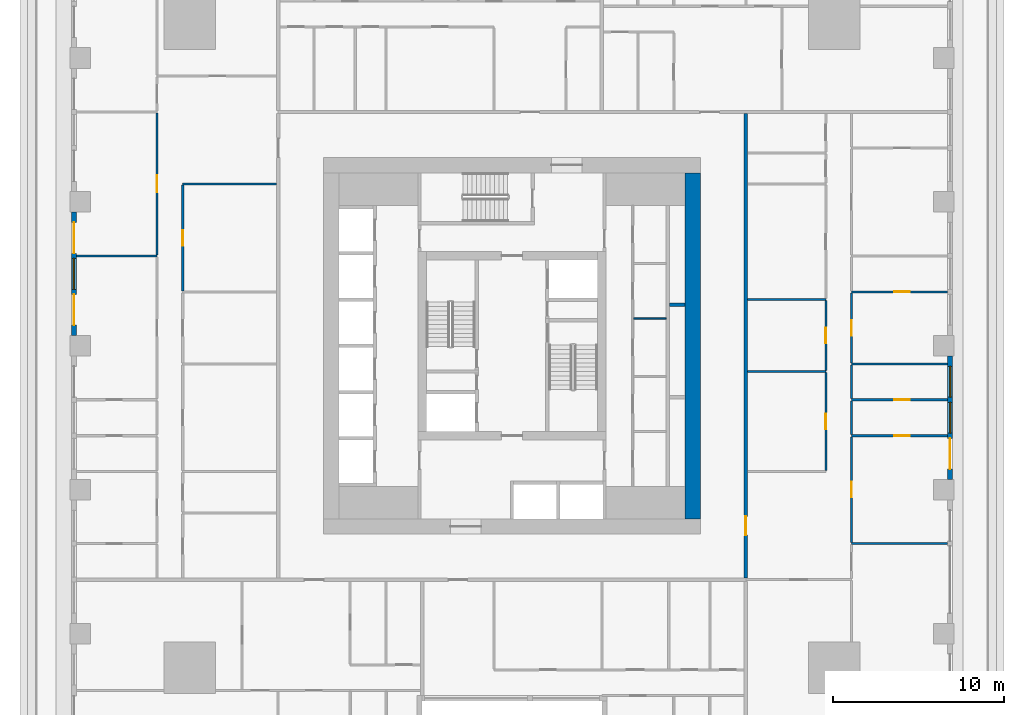
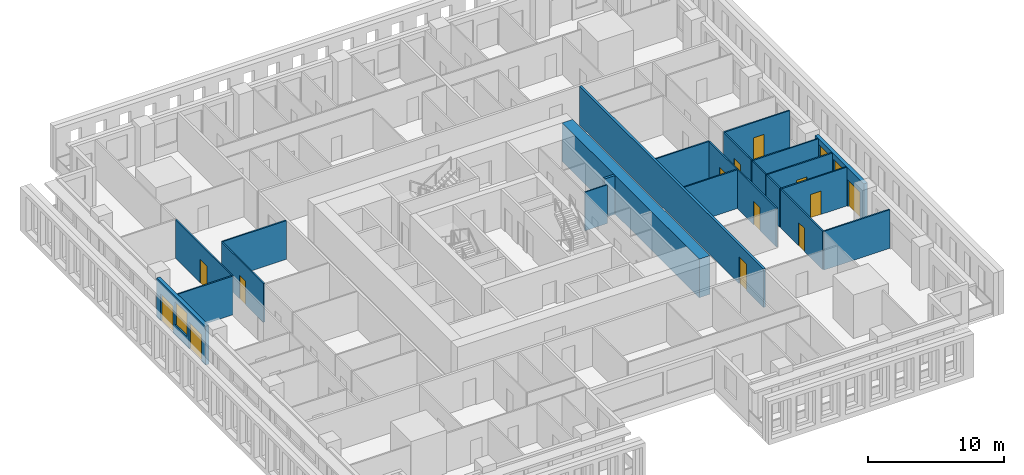
# One storey, part 6 of 15: 23 walls, 13 doors, 3 windows, 16 openings.
"""IFC4 building model written with IfcOpenShell, lengths in metres."""

from ifc_helpers import new_model, si_unit, direction, frame, frame_2d, origin, place, context, subcontext, project, spatial, rectangle, extrude, material, layer, layer_set, type_object, element, fill, save


model = new_model("IFC4")

# Units and contexts
model_context = context("Model", 3, precision=1e-05, world=origin(), true_north=direction((0.0, 1.0)))
body_context = subcontext(model_context, "Body", "Model", "MODEL_VIEW")
ifc_project = project(units=[si_unit("LENGTHUNIT", "METRE"), si_unit("AREAUNIT", "SQUARE_METRE"), si_unit("VOLUMEUNIT", "CUBIC_METRE"), si_unit("PLANEANGLEUNIT", "RADIAN"), si_unit("MASSUNIT", "GRAM", prefix="KILO")], contexts=[model_context])

# Site, building, storey
site_placement = place(None, origin())
site = spatial("IfcSite", under=ifc_project, at=site_placement, CompositionType="ELEMENT")
building_placement = place(site_placement, origin())
building = spatial("IfcBuilding", under=site, at=building_placement, Name="Khepri Terraces", CompositionType="ELEMENT")
storey_placement = place(building_placement, frame((0.0, 0.0, 38.699951171875)))
storey = spatial("IfcBuildingStorey", under=building, at=storey_placement, Name="L08", CompositionType="ELEMENT", Elevation=38.699951171875)

# Walls
ifc_material_1 = material(Name="Concrete C80/95", Category="concrete")
ifc_layer_1 = layer(ifc_material_1, 0.199951171875, Name="Concrete C80/95", Category="concrete")
ifc_layer_set_1 = layer_set([ifc_layer_1], Name="Concrete C80/95")
wall_type_1 = type_object("IfcWallType", Name="Core wall 200 C80/95", PredefinedType="SHEAR", material=ifc_layer_set_1)
wall_1_placement = place(storey_placement, frame((9.199951171875, 2.39990234375, 0.0), z_axis=(0.0, 0.0, 1.0), x_axis=(1.0, 0.0, 0.0)))
element("IfcWall", 1, at=wall_1_placement, inside=storey, type_object=wall_type_1, Name="Core wall SH16 L08", PredefinedType="SHEAR", context=body_context, shape_type="SweptSolid", body=[
    extrude(rectangle(XDim=0.900146484375, YDim=0.199951171875, at=frame_2d((0.4501953125, 0.0))), origin(), (0.0, 0.0, 1.0), 3.47998046875),
])
ifc_layer_2 = layer(ifc_material_1, 0.89990234375, Name="Concrete C80/95", Category="concrete")
ifc_layer_set_2 = layer_set([ifc_layer_2], Name="Concrete C80/95")
wall_type_2 = type_object("IfcWallType", Name="Core wall 900 C80/95", PredefinedType="SHEAR", material=ifc_layer_set_2)
wall_2_placement = place(storey_placement, frame((10.550048828125, -10.10009765625, 0.0), z_axis=(0.0, 0.0, 1.0), x_axis=(0.0, 1.0, 0.0)))
element("IfcWall", 2, at=wall_2_placement, inside=storey, type_object=wall_type_2, Name="Core wall OW-E L08", PredefinedType="SHEAR", context=body_context, shape_type="SweptSolid", body=[
    extrude(rectangle(XDim=20.2001953125, YDim=0.89990234375, at=frame_2d((10.10009765625, 0.0))), origin(), (0.0, 0.0, 1.0), 3.47998046875),
])
ifc_material_2 = material(Name="Fire-rated gypsum board partition")
ifc_layer_3 = layer(ifc_material_2, 0.10009765625, Name="Fire-rated gypsum board partition")
ifc_layer_set_3 = layer_set([ifc_layer_3], Name="Fire-rated gypsum board partition")
wall_type_3 = type_object("IfcWallType", Name="WL-CORE-PART-100", PredefinedType="PARTITIONING", material=ifc_layer_set_3)
wall_3_placement = place(storey_placement, frame((7.10009765625, 1.60009765625, 0.0), z_axis=(0.0, 0.0, 1.0), x_axis=(1.0, 0.0, 0.0)))
element("IfcWall", 3, at=wall_3_placement, inside=storey, type_object=wall_type_3, Name="Core partition PT06 L08", PredefinedType="PARTITIONING", context=body_context, shape_type="SweptSolid", body=[
    extrude(rectangle(XDim=1.89990234375, YDim=0.10009765625, at=frame_2d((0.949951171875, 0.0))), origin(), (0.0, 0.0, 1.0), 3.47998046875),
])

# Wall, opening, door
ifc_material_3 = material(Name="Fire-rated gypsum plasterboard partition, mineral wool")
ifc_layer_4 = layer(ifc_material_3, 0.199951171875, Name="Fire-rated gypsum plasterboard partition, mineral wool")
ifc_layer_set_4 = layer_set([ifc_layer_4], Name="Fire-rated gypsum plasterboard partition, mineral wool")
wall_type_4 = type_object("IfcWallType", Name="WL-CORR-200", PredefinedType="PARTITIONING", material=ifc_layer_set_4)
wall_4_placement = place(storey_placement, frame((13.64990234375, -13.550048828125, 0.0), z_axis=(0.0, 0.0, 1.0), x_axis=(0.0, 1.0, 0.0)))
wall_4 = element("IfcWall", 4, at=wall_4_placement, inside=storey, type_object=wall_type_4, Name="Partition P-029 L08", PredefinedType="PARTITIONING", context=body_context, shape_type="SweptSolid", body=[
    extrude(rectangle(XDim=27.10009765625, YDim=0.199951171875, at=frame_2d((13.550048828125, 0.0))), origin(), (0.0, 0.0, 1.0), 3.47998046875),
])
opening_1_placement = place(wall_4_placement, frame((2.5, 0.0, 0.0)))
opening_1 = element("IfcOpeningElement", 5, at=opening_1_placement, cuts=wall_4, Name="Opening D1", PredefinedType="OPENING", context=body_context, shape_type="SweptSolid", body=[
    extrude(rectangle(XDim=1.10009765625, YDim=2.39990234375, at=frame_2d((0.550048828125, 1.199951171875))), frame((0.0, 0.10986328125, 0.0), z_axis=(0.0, -1.0, 0.0), x_axis=(1.0, 0.0, 0.0)), (0.0, 0.0, 1.0), 0.219970703125),
])
ifc_material_4 = material(Name="Solid-core timber door leaf, flat entrance door", Category="wood")
door_type_1 = type_object("IfcDoorType", Name="DR-ENT-1100", OperationType="NOTDEFINED", PredefinedType="DOOR", material=ifc_material_4)
door_1_placement = place(opening_1_placement, frame((1.10009765625, 0.0, 0.0), z_axis=(0.0, 0.0, 1.0), x_axis=(-1.0, 0.0, 0.0)))
door_1 = element("IfcDoor", 6, at=door_1_placement, inside=storey, type_object=door_type_1, Name="Flat B1 entrance door", OperationType="SINGLE_SWING_RIGHT", OverallHeight=2.39990234375, OverallWidth=1.10009765625, PredefinedType="DOOR", context=body_context, shape_type="SweptSolid", body=[
    extrude(rectangle(XDim=1.10009765625, YDim=2.39990234375, at=frame_2d((0.550048828125, 1.199951171875))), frame((0.0, 0.02490234375, 0.0), z_axis=(0.0, -1.0, 0.0), x_axis=(1.0, 0.0, 0.0)), (0.0, 0.0, 1.0), 0.050048828125),
])
fill(opening_1, door_1)

# Wall, openings, door, windows
ifc_material_5 = material(Name="Precast concrete C50/60 warm stone", Category="masonry")
ifc_layer_5 = layer(ifc_material_5, 0.300048828125, Name="Precast concrete C50/60 warm stone", Category="masonry")
ifc_layer_set_5 = layer_set([ifc_layer_5], Name="Precast concrete C50/60 warm stone")
wall_type_5 = type_object("IfcWallType", Name="WL-EXT-PRECAST-300", PredefinedType="STANDARD", material=ifc_layer_set_5)
wall_5_placement = place(storey_placement, frame((25.570068359375, -7.800048828125, 0.0), z_axis=(0.0, 0.0, 1.0), x_axis=(0.0, 1.0, 0.0)))
wall_5 = element("IfcWall", 7, at=wall_5_placement, inside=storey, type_object=wall_type_5, Name="External wall L08 E", PredefinedType="STANDARD", context=body_context, shape_type="SweptSolid", body=[
    extrude(rectangle(XDim=7.199951171875, YDim=0.300048828125, at=frame_2d((3.60009765625, 0.0))), origin(), (0.0, 0.0, 1.0), 3.47998046875),
])
opening_2_placement = place(wall_5_placement, frame((0.60009765625, 0.0, 0.0)))
opening_2 = element("IfcOpeningElement", 8, at=opening_2_placement, cuts=wall_5, Name="Opening ED-L08-04", PredefinedType="OPENING", context=body_context, shape_type="SweptSolid", body=[
    extrude(rectangle(XDim=1.800048828125, YDim=2.39990234375, at=frame_2d((0.89990234375, 1.199951171875))), frame((0.0, 0.16015625, 0.0), z_axis=(0.0, -1.0, 0.0), x_axis=(1.0, 0.0, 0.0)), (0.0, 0.0, 1.0), 0.320068359375),
])
opening_3_placement = place(wall_5_placement, frame((2.699951171875, 0.0, 0.89990234375)))
opening_3 = element("IfcOpeningElement", 9, at=opening_3_placement, cuts=wall_5, Name="Opening W1", PredefinedType="OPENING", context=body_context, shape_type="SweptSolid", body=[
    extrude(rectangle(XDim=1.800048828125, YDim=2.10009765625, at=frame_2d((0.89990234375, 1.050048828125))), frame((0.0, 0.16015625, 0.0), z_axis=(0.0, -1.0, 0.0), x_axis=(1.0, 0.0, 0.0)), (0.0, 0.0, 1.0), 0.320068359375),
])
opening_4_placement = place(wall_5_placement, frame((4.800048828125, 0.0, 0.89990234375)))
opening_4 = element("IfcOpeningElement", 10, at=opening_4_placement, cuts=wall_5, Name="Opening W1", PredefinedType="OPENING", context=body_context, shape_type="SweptSolid", body=[
    extrude(rectangle(XDim=1.800048828125, YDim=2.10009765625, at=frame_2d((0.89990234375, 1.050048828125))), frame((0.0, 0.16015625, 0.0), z_axis=(0.0, -1.0, 0.0), x_axis=(1.0, 0.0, 0.0)), (0.0, 0.0, 1.0), 0.320068359375),
])
ifc_material_6 = material(Name="Anodised aluminium bronze glazed door", Category="aluminium")
door_type_2 = type_object("IfcDoorType", Name="DR-BAL-SLIDE-1800x2400", OperationType="NOTDEFINED", PredefinedType="DOOR", material=ifc_material_6)
door_2_placement = place(opening_2_placement, origin())
door_2 = element("IfcDoor", 11, at=door_2_placement, inside=storey, type_object=door_type_2, Name="Balcony door L08 E", OperationType="SLIDING_TO_LEFT", OverallHeight=2.39990234375, OverallWidth=1.800048828125, PredefinedType="DOOR", context=body_context, shape_type="SweptSolid", body=[
    extrude(rectangle(XDim=1.800048828125, YDim=2.39990234375, at=frame_2d((0.89990234375, 1.199951171875))), frame((0.0, 0.02490234375, 0.0), z_axis=(0.0, -1.0, 0.0), x_axis=(1.0, 0.0, 0.0)), (0.0, 0.0, 1.0), 0.050048828125),
])
fill(opening_2, door_2)
ifc_material_7 = material(Name="Clear glass", Category="glass")
window_type = type_object("IfcWindowType", Name="WIN-RES-1800x2100", PartitioningType="SINGLE_PANEL", PredefinedType="WINDOW", material=ifc_material_7)
window_1_placement = place(opening_3_placement, origin())
window_1 = element("IfcWindow", 12, at=window_1_placement, inside=storey, type_object=window_type, Name="Window L08 E", OverallHeight=2.10009765625, OverallWidth=1.800048828125, PartitioningType="SINGLE_PANEL", PredefinedType="WINDOW", context=body_context, shape_type="SweptSolid", body=[
    extrude(rectangle(XDim=1.800048828125, YDim=2.10009765625, at=frame_2d((0.89990234375, 1.050048828125))), frame((0.0, 0.030029296875, 0.0), z_axis=(0.0, -1.0, 0.0), x_axis=(1.0, 0.0, 0.0)), (0.0, 0.0, 1.0), 0.06005859375),
])
fill(opening_3, window_1)
window_2_placement = place(opening_4_placement, origin())
window_2 = element("IfcWindow", 13, at=window_2_placement, inside=storey, type_object=window_type, Name="Window L08 E", OverallHeight=2.10009765625, OverallWidth=1.800048828125, PartitioningType="SINGLE_PANEL", PredefinedType="WINDOW", context=body_context, shape_type="SweptSolid", body=[
    extrude(rectangle(XDim=1.800048828125, YDim=2.10009765625, at=frame_2d((0.89990234375, 1.050048828125))), frame((0.0, 0.030029296875, 0.0), z_axis=(0.0, -1.0, 0.0), x_axis=(1.0, 0.0, 0.0)), (0.0, 0.0, 1.0), 0.06005859375),
])
fill(opening_4, window_2)

# Wall, openings, doors, window
wall_6_placement = place(storey_placement, frame((-25.570068359375, 7.800048828125, 0.0), z_axis=(0.0, 0.0, 1.0), x_axis=(0.0, -1.0, 0.0)))
wall_6 = element("IfcWall", 14, at=wall_6_placement, inside=storey, type_object=wall_type_5, Name="External wall L08 W", PredefinedType="STANDARD", context=body_context, shape_type="SweptSolid", body=[
    extrude(rectangle(XDim=7.199951171875, YDim=0.300048828125, at=frame_2d((3.60009765625, 0.0))), origin(), (0.0, 0.0, 1.0), 3.47998046875),
])
opening_5_placement = place(wall_6_placement, frame((0.60009765625, 0.0, 0.0)))
opening_5 = element("IfcOpeningElement", 15, at=opening_5_placement, cuts=wall_6, Name="Opening ED-L08-15", PredefinedType="OPENING", context=body_context, shape_type="SweptSolid", body=[
    extrude(rectangle(XDim=1.800048828125, YDim=2.39990234375, at=frame_2d((0.89990234375, 1.199951171875))), frame((0.0, 0.16015625, 0.0), z_axis=(0.0, -1.0, 0.0), x_axis=(1.0, 0.0, 0.0)), (0.0, 0.0, 1.0), 0.320068359375),
])
opening_6_placement = place(wall_6_placement, frame((2.699951171875, 0.0, 0.89990234375)))
opening_6 = element("IfcOpeningElement", 16, at=opening_6_placement, cuts=wall_6, Name="Opening W1", PredefinedType="OPENING", context=body_context, shape_type="SweptSolid", body=[
    extrude(rectangle(XDim=1.800048828125, YDim=2.10009765625, at=frame_2d((0.89990234375, 1.050048828125))), frame((0.0, 0.16015625, 0.0), z_axis=(0.0, -1.0, 0.0), x_axis=(1.0, 0.0, 0.0)), (0.0, 0.0, 1.0), 0.320068359375),
])
opening_7_placement = place(wall_6_placement, frame((4.800048828125, 0.0, 0.0)))
opening_7 = element("IfcOpeningElement", 17, at=opening_7_placement, cuts=wall_6, Name="Opening ED-L08-16", PredefinedType="OPENING", context=body_context, shape_type="SweptSolid", body=[
    extrude(rectangle(XDim=1.800048828125, YDim=2.39990234375, at=frame_2d((0.89990234375, 1.199951171875))), frame((0.0, 0.16015625, 0.0), z_axis=(0.0, -1.0, 0.0), x_axis=(1.0, 0.0, 0.0)), (0.0, 0.0, 1.0), 0.320068359375),
])
door_3_placement = place(opening_5_placement, origin())
door_3 = element("IfcDoor", 18, at=door_3_placement, inside=storey, type_object=door_type_2, Name="Balcony door L08 W", OperationType="SLIDING_TO_LEFT", OverallHeight=2.39990234375, OverallWidth=1.800048828125, PredefinedType="DOOR", context=body_context, shape_type="SweptSolid", body=[
    extrude(rectangle(XDim=1.800048828125, YDim=2.39990234375, at=frame_2d((0.89990234375, 1.199951171875))), frame((0.0, 0.02490234375, 0.0), z_axis=(0.0, -1.0, 0.0), x_axis=(1.0, 0.0, 0.0)), (0.0, 0.0, 1.0), 0.050048828125),
])
fill(opening_5, door_3)
door_4_placement = place(opening_7_placement, origin())
door_4 = element("IfcDoor", 19, at=door_4_placement, inside=storey, type_object=door_type_2, Name="Balcony door L08 W", OperationType="SLIDING_TO_RIGHT", OverallHeight=2.39990234375, OverallWidth=1.800048828125, PredefinedType="DOOR", context=body_context, shape_type="SweptSolid", body=[
    extrude(rectangle(XDim=1.800048828125, YDim=2.39990234375, at=frame_2d((0.89990234375, 1.199951171875))), frame((0.0, 0.02490234375, 0.0), z_axis=(0.0, -1.0, 0.0), x_axis=(1.0, 0.0, 0.0)), (0.0, 0.0, 1.0), 0.050048828125),
])
fill(opening_7, door_4)
window_3_placement = place(opening_6_placement, origin())
window_3 = element("IfcWindow", 20, at=window_3_placement, inside=storey, type_object=window_type, Name="Window L08 W", OverallHeight=2.10009765625, OverallWidth=1.800048828125, PartitioningType="SINGLE_PANEL", PredefinedType="WINDOW", context=body_context, shape_type="SweptSolid", body=[
    extrude(rectangle(XDim=1.800048828125, YDim=2.10009765625, at=frame_2d((0.89990234375, 1.050048828125))), frame((0.0, 0.030029296875, 0.0), z_axis=(0.0, -1.0, 0.0), x_axis=(1.0, 0.0, 0.0)), (0.0, 0.0, 1.0), 0.06005859375),
])
fill(opening_6, window_3)

# Wall
ifc_material_8 = material(Name="Gypsum plasterboard partition")
ifc_layer_6 = layer(ifc_material_8, 0.1201171875, Name="Gypsum plasterboard partition")
ifc_layer_set_6 = layer_set([ifc_layer_6], Name="Gypsum plasterboard partition")
wall_type_6 = type_object("IfcWallType", Name="WL-PART-120", PredefinedType="PARTITIONING", material=ifc_layer_set_6)
wall_7_placement = place(storey_placement, frame((19.820068359375, -11.550048828125, 0.0), z_axis=(0.0, 0.0, 1.0), x_axis=(1.0, 0.0, 0.0)))
element("IfcWall", 21, at=wall_7_placement, inside=storey, type_object=wall_type_6, Name="Partition P-031 L08", PredefinedType="PARTITIONING", context=body_context, shape_type="SweptSolid", body=[
    extrude(rectangle(XDim=5.599853515625, YDim=0.1201171875, at=frame_2d((2.7998046875, 0.0))), origin(), (0.0, 0.0, 1.0), 3.47998046875),
])

# Wall, opening, door
wall_8_placement = place(storey_placement, frame((19.820068359375, -11.489990234375, 0.0), z_axis=(0.0, 0.0, 1.0), x_axis=(0.0, 1.0, 0.0)))
wall_8 = element("IfcWall", 22, at=wall_8_placement, inside=storey, type_object=wall_type_6, Name="Partition P-033 L08", PredefinedType="PARTITIONING", context=body_context, shape_type="SweptSolid", body=[
    extrude(rectangle(XDim=6.179931640625, YDim=0.1201171875, at=frame_2d((3.08984375, 0.0))), origin(), (0.0, 0.0, 1.0), 3.47998046875),
])
opening_8_placement = place(wall_8_placement, frame((2.639892578125, 0.0, 0.0)))
opening_8 = element("IfcOpeningElement", 23, at=opening_8_placement, cuts=wall_8, Name="Opening D3", PredefinedType="OPENING", context=body_context, shape_type="SweptSolid", body=[
    extrude(rectangle(XDim=0.89990234375, YDim=2.10009765625, at=frame_2d((0.449951171875, 1.050048828125))), frame((0.0, 0.070068359375, 0.0), z_axis=(0.0, -1.0, 0.0), x_axis=(1.0, 0.0, 0.0)), (0.0, 0.0, 1.0), 0.14013671875),
])
ifc_material_9 = material(Name="Timber door leaf", Category="wood")
door_type_3 = type_object("IfcDoorType", Name="DR-INT-900", OperationType="NOTDEFINED", PredefinedType="DOOR", material=ifc_material_9)
door_5_placement = place(opening_8_placement, frame((0.89990234375, 0.0, 0.0), z_axis=(0.0, 0.0, 1.0), x_axis=(-1.0, 0.0, 0.0)))
door_5 = element("IfcDoor", 24, at=door_5_placement, inside=storey, type_object=door_type_3, Name="Door Master Bedroom", OperationType="SINGLE_SWING_RIGHT", OverallHeight=2.10009765625, OverallWidth=0.89990234375, PredefinedType="DOOR", context=body_context, shape_type="SweptSolid", body=[
    extrude(rectangle(XDim=0.89990234375, YDim=2.10009765625, at=frame_2d((0.449951171875, 1.050048828125))), frame((0.0, 0.02490234375, 0.0), z_axis=(0.0, -1.0, 0.0), x_axis=(1.0, 0.0, 0.0)), (0.0, 0.0, 1.0), 0.050048828125),
])
fill(opening_8, door_5)

wall_9_placement = place(storey_placement, frame((18.320068359375, -7.2900390625, 0.0), z_axis=(0.0, 0.0, 1.0), x_axis=(0.0, 1.0, 0.0)))
wall_9 = element("IfcWall", 25, at=wall_9_placement, inside=storey, type_object=wall_type_6, Name="Partition P-041 L08", PredefinedType="PARTITIONING", context=body_context, shape_type="SweptSolid", body=[
    extrude(rectangle(XDim=5.72998046875, YDim=0.1201171875, at=frame_2d((2.864990234375, 0.0))), origin(), (0.0, 0.0, 1.0), 3.47998046875),
])
opening_9_placement = place(wall_9_placement, frame((2.4150390625, 0.0, 0.0)))
opening_9 = element("IfcOpeningElement", 26, at=opening_9_placement, cuts=wall_9, Name="Opening D3", PredefinedType="OPENING", context=body_context, shape_type="SweptSolid", body=[
    extrude(rectangle(XDim=0.89990234375, YDim=2.10009765625, at=frame_2d((0.449951171875, 1.050048828125))), frame((0.0, 0.070068359375, 0.0), z_axis=(0.0, -1.0, 0.0), x_axis=(1.0, 0.0, 0.0)), (0.0, 0.0, 1.0), 0.14013671875),
])
door_6_placement = place(opening_9_placement, origin())
door_6 = element("IfcDoor", 27, at=door_6_placement, inside=storey, type_object=door_type_3, Name="Door Kitchen", OperationType="SINGLE_SWING_RIGHT", OverallHeight=2.10009765625, OverallWidth=0.89990234375, PredefinedType="DOOR", context=body_context, shape_type="SweptSolid", body=[
    extrude(rectangle(XDim=0.89990234375, YDim=2.10009765625, at=frame_2d((0.449951171875, 1.050048828125))), frame((0.0, 0.02490234375, 0.0), z_axis=(0.0, -1.0, 0.0), x_axis=(1.0, 0.0, 0.0)), (0.0, 0.0, 1.0), 0.050048828125),
])
fill(opening_9, door_6)

wall_10_placement = place(storey_placement, frame((19.820068359375, -5.25, 0.0), z_axis=(0.0, 0.0, 1.0), x_axis=(1.0, 0.0, 0.0)))
wall_10 = element("IfcWall", 28, at=wall_10_placement, inside=storey, type_object=wall_type_6, Name="Partition P-043 L08", PredefinedType="PARTITIONING", context=body_context, shape_type="SweptSolid", body=[
    extrude(rectangle(XDim=5.599853515625, YDim=0.1201171875, at=frame_2d((2.7998046875, 0.0))), origin(), (0.0, 0.0, 1.0), 3.47998046875),
])
opening_10_placement = place(wall_10_placement, frame((2.5, 0.0, 0.0)))
opening_10 = element("IfcOpeningElement", 29, at=opening_10_placement, cuts=wall_10, Name="Opening D3", PredefinedType="OPENING", context=body_context, shape_type="SweptSolid", body=[
    extrude(rectangle(XDim=0.89990234375, YDim=2.10009765625, at=frame_2d((0.449951171875, 1.050048828125))), frame((0.0, 0.070068359375, 0.0), z_axis=(0.0, -1.0, 0.0), x_axis=(1.0, 0.0, 0.0)), (0.0, 0.0, 1.0), 0.14013671875),
])
door_7_placement = place(opening_10_placement, origin())
door_7 = element("IfcDoor", 30, at=door_7_placement, inside=storey, type_object=door_type_3, Name="Door Dressing Room", OperationType="SINGLE_SWING_RIGHT", OverallHeight=2.10009765625, OverallWidth=0.89990234375, PredefinedType="DOOR", context=body_context, shape_type="SweptSolid", body=[
    extrude(rectangle(XDim=0.89990234375, YDim=2.10009765625, at=frame_2d((0.449951171875, 1.050048828125))), frame((0.0, 0.02490234375, 0.0), z_axis=(0.0, -1.0, 0.0), x_axis=(1.0, 0.0, 0.0)), (0.0, 0.0, 1.0), 0.050048828125),
])
fill(opening_10, door_7)

# Wall
wall_11_placement = place(storey_placement, frame((19.820068359375, -5.18994140625, 0.0), z_axis=(0.0, 0.0, 1.0), x_axis=(0.0, 1.0, 0.0)))
element("IfcWall", 31, at=wall_11_placement, inside=storey, type_object=wall_type_6, Name="Partition P-045 L08", PredefinedType="PARTITIONING", context=body_context, shape_type="SweptSolid", body=[
    extrude(rectangle(XDim=1.97998046875, YDim=0.1201171875, at=frame_2d((0.989990234375, 0.0))), origin(), (0.0, 0.0, 1.0), 3.47998046875),
])

# Wall, opening, door
wall_12_placement = place(storey_placement, frame((19.820068359375, -3.14990234375, 0.0), z_axis=(0.0, 0.0, 1.0), x_axis=(1.0, 0.0, 0.0)))
wall_12 = element("IfcWall", 32, at=wall_12_placement, inside=storey, type_object=wall_type_6, Name="Partition P-047 L08", PredefinedType="PARTITIONING", context=body_context, shape_type="SweptSolid", body=[
    extrude(rectangle(XDim=5.599853515625, YDim=0.1201171875, at=frame_2d((2.7998046875, 0.0))), origin(), (0.0, 0.0, 1.0), 3.47998046875),
])
opening_11_placement = place(wall_12_placement, frame((2.5, 0.0, 0.0)))
opening_11 = element("IfcOpeningElement", 33, at=opening_11_placement, cuts=wall_12, Name="Opening D4", PredefinedType="OPENING", context=body_context, shape_type="SweptSolid", body=[
    extrude(rectangle(XDim=0.89990234375, YDim=2.10009765625, at=frame_2d((0.449951171875, 1.050048828125))), frame((0.0, 0.070068359375, 0.0), z_axis=(0.0, -1.0, 0.0), x_axis=(1.0, 0.0, 0.0)), (0.0, 0.0, 1.0), 0.14013671875),
])
ifc_material_10 = material(Name="Timber door leaf, moisture resistant", Category="wood")
door_type_4 = type_object("IfcDoorType", Name="DR-WET-900", OperationType="NOTDEFINED", PredefinedType="DOOR", material=ifc_material_10)
door_8_placement = place(opening_11_placement, origin())
door_8 = element("IfcDoor", 34, at=door_8_placement, inside=storey, type_object=door_type_4, Name="Door Bathroom", OperationType="SINGLE_SWING_RIGHT", OverallHeight=2.10009765625, OverallWidth=0.89990234375, PredefinedType="DOOR", context=body_context, shape_type="SweptSolid", body=[
    extrude(rectangle(XDim=0.89990234375, YDim=2.10009765625, at=frame_2d((0.449951171875, 1.050048828125))), frame((0.0, 0.02490234375, 0.0), z_axis=(0.0, -1.0, 0.0), x_axis=(1.0, 0.0, 0.0)), (0.0, 0.0, 1.0), 0.050048828125),
])
fill(opening_11, door_8)

# Walls
wall_13_placement = place(storey_placement, frame((19.820068359375, -3.090087890625, 0.0), z_axis=(0.0, 0.0, 1.0), x_axis=(0.0, 1.0, 0.0)))
element("IfcWall", 35, at=wall_13_placement, inside=storey, type_object=wall_type_6, Name="Partition P-049 L08", PredefinedType="PARTITIONING", context=body_context, shape_type="SweptSolid", body=[
    extrude(rectangle(XDim=1.97998046875, YDim=0.1201171875, at=frame_2d((0.989990234375, 0.0))), origin(), (0.0, 0.0, 1.0), 3.47998046875),
])
wall_14_placement = place(storey_placement, frame((13.75, -1.5, 0.0), z_axis=(0.0, 0.0, 1.0), x_axis=(1.0, 0.0, 0.0)))
element("IfcWall", 36, at=wall_14_placement, inside=storey, type_object=wall_type_6, Name="Partition P-050 L08", PredefinedType="PARTITIONING", context=body_context, shape_type="SweptSolid", body=[
    extrude(rectangle(XDim=4.570068359375, YDim=0.1201171875, at=frame_2d((2.28515625, 0.0))), origin(), (0.0, 0.0, 1.0), 3.47998046875),
])

# Wall, opening, door
wall_15_placement = place(storey_placement, frame((18.320068359375, -1.43994140625, 0.0), z_axis=(0.0, 0.0, 1.0), x_axis=(0.0, 1.0, 0.0)))
wall_15 = element("IfcWall", 37, at=wall_15_placement, inside=storey, type_object=wall_type_6, Name="Partition P-051 L08", PredefinedType="PARTITIONING", context=body_context, shape_type="SweptSolid", body=[
    extrude(rectangle(XDim=4.079833984375, YDim=0.1201171875, at=frame_2d((2.0400390625, 0.0))), origin(), (0.0, 0.0, 1.0), 3.47998046875),
])
opening_12_placement = place(wall_15_placement, frame((1.590087890625, 0.0, 0.0)))
opening_12 = element("IfcOpeningElement", 38, at=opening_12_placement, cuts=wall_15, Name="Opening D3", PredefinedType="OPENING", context=body_context, shape_type="SweptSolid", body=[
    extrude(rectangle(XDim=0.89990234375, YDim=2.10009765625, at=frame_2d((0.449951171875, 1.050048828125))), frame((0.0, 0.070068359375, 0.0), z_axis=(0.0, -1.0, 0.0), x_axis=(1.0, 0.0, 0.0)), (0.0, 0.0, 1.0), 0.14013671875),
])
door_9_placement = place(opening_12_placement, origin())
door_9 = element("IfcDoor", 39, at=door_9_placement, inside=storey, type_object=door_type_3, Name="Door Service Store", OperationType="SINGLE_SWING_RIGHT", OverallHeight=2.10009765625, OverallWidth=0.89990234375, PredefinedType="DOOR", context=body_context, shape_type="SweptSolid", body=[
    extrude(rectangle(XDim=0.89990234375, YDim=2.10009765625, at=frame_2d((0.449951171875, 1.050048828125))), frame((0.0, 0.02490234375, 0.0), z_axis=(0.0, -1.0, 0.0), x_axis=(1.0, 0.0, 0.0)), (0.0, 0.0, 1.0), 0.050048828125),
])
fill(opening_12, door_9)

# Wall
wall_16_placement = place(storey_placement, frame((19.820068359375, -1.050048828125, 0.0), z_axis=(0.0, 0.0, 1.0), x_axis=(1.0, 0.0, 0.0)))
element("IfcWall", 40, at=wall_16_placement, inside=storey, type_object=wall_type_6, Name="Partition P-053 L08", PredefinedType="PARTITIONING", context=body_context, shape_type="SweptSolid", body=[
    extrude(rectangle(XDim=5.599853515625, YDim=0.1201171875, at=frame_2d((2.7998046875, 0.0))), origin(), (0.0, 0.0, 1.0), 3.47998046875),
])

# Wall, opening, door
wall_17_placement = place(storey_placement, frame((19.820068359375, -0.989990234375, 0.0), z_axis=(0.0, 0.0, 1.0), x_axis=(0.0, 1.0, 0.0)))
wall_17 = element("IfcWall", 41, at=wall_17_placement, inside=storey, type_object=wall_type_6, Name="Partition P-055 L08", PredefinedType="PARTITIONING", context=body_context, shape_type="SweptSolid", body=[
    extrude(rectangle(XDim=4.080078125, YDim=0.1201171875, at=frame_2d((2.0400390625, 0.0))), origin(), (0.0, 0.0, 1.0), 3.47998046875),
])
opening_13_placement = place(wall_17_placement, frame((1.590087890625, 0.0, 0.0)))
opening_13 = element("IfcOpeningElement", 42, at=opening_13_placement, cuts=wall_17, Name="Opening D3", PredefinedType="OPENING", context=body_context, shape_type="SweptSolid", body=[
    extrude(rectangle(XDim=0.89990234375, YDim=2.10009765625, at=frame_2d((0.449951171875, 1.050048828125))), frame((0.0, 0.070068359375, 0.0), z_axis=(0.0, -1.0, 0.0), x_axis=(1.0, 0.0, 0.0)), (0.0, 0.0, 1.0), 0.14013671875),
])
door_10_placement = place(opening_13_placement, frame((0.89990234375, 0.0, 0.0), z_axis=(0.0, 0.0, 1.0), x_axis=(-1.0, 0.0, 0.0)))
door_10 = element("IfcDoor", 43, at=door_10_placement, inside=storey, type_object=door_type_3, Name="Door Bedroom", OperationType="SINGLE_SWING_LEFT", OverallHeight=2.10009765625, OverallWidth=0.89990234375, PredefinedType="DOOR", context=body_context, shape_type="SweptSolid", body=[
    extrude(rectangle(XDim=0.89990234375, YDim=2.10009765625, at=frame_2d((0.449951171875, 1.050048828125))), frame((0.0, 0.02490234375, 0.0), z_axis=(0.0, -1.0, 0.0), x_axis=(1.0, 0.0, 0.0)), (0.0, 0.0, 1.0), 0.050048828125),
])
fill(opening_13, door_10)

# Wall
wall_18_placement = place(storey_placement, frame((13.75, 2.699951171875, 0.0), z_axis=(0.0, 0.0, 1.0), x_axis=(1.0, 0.0, 0.0)))
element("IfcWall", 44, at=wall_18_placement, inside=storey, type_object=wall_type_6, Name="Partition P-056 L08", PredefinedType="PARTITIONING", context=body_context, shape_type="SweptSolid", body=[
    extrude(rectangle(XDim=4.570068359375, YDim=0.1201171875, at=frame_2d((2.28515625, 0.0))), origin(), (0.0, 0.0, 1.0), 3.47998046875),
])

# Wall, opening, door
wall_19_placement = place(storey_placement, frame((19.820068359375, 3.14990234375, 0.0), z_axis=(0.0, 0.0, 1.0), x_axis=(1.0, 0.0, 0.0)))
wall_19 = element("IfcWall", 45, at=wall_19_placement, inside=storey, type_object=wall_type_6, Name="Partition P-059 L08", PredefinedType="PARTITIONING", context=body_context, shape_type="SweptSolid", body=[
    extrude(rectangle(XDim=5.599853515625, YDim=0.1201171875, at=frame_2d((2.7998046875, 0.0))), origin(), (0.0, 0.0, 1.0), 3.47998046875),
])
opening_14_placement = place(wall_19_placement, frame((2.5, 0.0, 0.0)))
opening_14 = element("IfcOpeningElement", 46, at=opening_14_placement, cuts=wall_19, Name="Opening D4", PredefinedType="OPENING", context=body_context, shape_type="SweptSolid", body=[
    extrude(rectangle(XDim=0.89990234375, YDim=2.10009765625, at=frame_2d((0.449951171875, 1.050048828125))), frame((0.0, 0.070068359375, 0.0), z_axis=(0.0, -1.0, 0.0), x_axis=(1.0, 0.0, 0.0)), (0.0, 0.0, 1.0), 0.14013671875),
])
door_11_placement = place(opening_14_placement, origin())
door_11 = element("IfcDoor", 47, at=door_11_placement, inside=storey, type_object=door_type_4, Name="Door Bathroom", OperationType="SINGLE_SWING_RIGHT", OverallHeight=2.10009765625, OverallWidth=0.89990234375, PredefinedType="DOOR", context=body_context, shape_type="SweptSolid", body=[
    extrude(rectangle(XDim=0.89990234375, YDim=2.10009765625, at=frame_2d((0.449951171875, 1.050048828125))), frame((0.0, 0.02490234375, 0.0), z_axis=(0.0, -1.0, 0.0), x_axis=(1.0, 0.0, 0.0)), (0.0, 0.0, 1.0), 0.050048828125),
])
fill(opening_14, door_11)

wall_20_placement = place(storey_placement, frame((-19.219970703125, 3.2099609375, 0.0), z_axis=(0.0, 0.0, 1.0), x_axis=(0.0, 1.0, 0.0)))
wall_20 = element("IfcWall", 48, at=wall_20_placement, inside=storey, type_object=wall_type_6, Name="Partition P-060 L08", PredefinedType="PARTITIONING", context=body_context, shape_type="SweptSolid", body=[
    extrude(rectangle(XDim=6.179931640625, YDim=0.1201171875, at=frame_2d((3.08984375, 0.0))), origin(), (0.0, 0.0, 1.0), 3.47998046875),
])
opening_15_placement = place(wall_20_placement, frame((2.639892578125, 0.0, 0.0)))
opening_15 = element("IfcOpeningElement", 49, at=opening_15_placement, cuts=wall_20, Name="Opening D3", PredefinedType="OPENING", context=body_context, shape_type="SweptSolid", body=[
    extrude(rectangle(XDim=0.89990234375, YDim=2.10009765625, at=frame_2d((0.449951171875, 1.050048828125))), frame((0.0, 0.070068359375, 0.0), z_axis=(0.0, -1.0, 0.0), x_axis=(1.0, 0.0, 0.0)), (0.0, 0.0, 1.0), 0.14013671875),
])
door_12_placement = place(opening_15_placement, frame((0.89990234375, 0.0, 0.0), z_axis=(0.0, 0.0, 1.0), x_axis=(-1.0, 0.0, 0.0)))
door_12 = element("IfcDoor", 50, at=door_12_placement, inside=storey, type_object=door_type_3, Name="Door Kitchen", OperationType="SINGLE_SWING_RIGHT", OverallHeight=2.10009765625, OverallWidth=0.89990234375, PredefinedType="DOOR", context=body_context, shape_type="SweptSolid", body=[
    extrude(rectangle(XDim=0.89990234375, YDim=2.10009765625, at=frame_2d((0.449951171875, 1.050048828125))), frame((0.0, 0.02490234375, 0.0), z_axis=(0.0, -1.0, 0.0), x_axis=(1.0, 0.0, 0.0)), (0.0, 0.0, 1.0), 0.050048828125),
])
fill(opening_15, door_12)

# Wall
wall_21_placement = place(storey_placement, frame((-25.419921875, 5.25, 0.0), z_axis=(0.0, 0.0, 1.0), x_axis=(1.0, 0.0, 0.0)))
element("IfcWall", 51, at=wall_21_placement, inside=storey, type_object=wall_type_6, Name="Partition P-062 L08", PredefinedType="PARTITIONING", context=body_context, shape_type="SweptSolid", body=[
    extrude(rectangle(XDim=4.699951171875, YDim=0.1201171875, at=frame_2d((2.35009765625, 0.0))), origin(), (0.0, 0.0, 1.0), 3.47998046875),
])

# Wall, opening, door
wall_22_placement = place(storey_placement, frame((-20.719970703125, 5.31005859375, 0.0), z_axis=(0.0, 0.0, 1.0), x_axis=(0.0, 1.0, 0.0)))
wall_22 = element("IfcWall", 52, at=wall_22_placement, inside=storey, type_object=wall_type_6, Name="Partition P-064 L08", PredefinedType="PARTITIONING", context=body_context, shape_type="SweptSolid", body=[
    extrude(rectangle(XDim=8.280029296875, YDim=0.1201171875, at=frame_2d((4.14013671875, 0.0))), origin(), (0.0, 0.0, 1.0), 3.47998046875),
])
opening_16_placement = place(wall_22_placement, frame((3.639892578125, 0.0, 0.0)))
opening_16 = element("IfcOpeningElement", 53, at=opening_16_placement, cuts=wall_22, Name="Opening D2", PredefinedType="OPENING", context=body_context, shape_type="SweptSolid", body=[
    extrude(rectangle(XDim=1.0, YDim=2.10009765625, at=frame_2d((0.5, 1.050048828125))), frame((0.0, 0.070068359375, 0.0), z_axis=(0.0, -1.0, 0.0), x_axis=(1.0, 0.0, 0.0)), (0.0, 0.0, 1.0), 0.14013671875),
])
ifc_material_11 = material(Name="Timber door leaf, living room door", Category="wood")
door_type_5 = type_object("IfcDoorType", Name="DR-INT-1000", OperationType="NOTDEFINED", PredefinedType="DOOR", material=ifc_material_11)
door_13_placement = place(opening_16_placement, origin())
door_13 = element("IfcDoor", 54, at=door_13_placement, inside=storey, type_object=door_type_5, Name="Door Family Room", OperationType="SINGLE_SWING_LEFT", OverallHeight=2.10009765625, OverallWidth=1.0, PredefinedType="DOOR", context=body_context, shape_type="SweptSolid", body=[
    extrude(rectangle(XDim=1.0, YDim=2.10009765625, at=frame_2d((0.5, 1.050048828125))), frame((0.0, 0.02490234375, 0.0), z_axis=(0.0, -1.0, 0.0), x_axis=(1.0, 0.0, 0.0)), (0.0, 0.0, 1.0), 0.050048828125),
])
fill(opening_16, door_13)

# Wall
wall_23_placement = place(storey_placement, frame((-19.219970703125, 9.449951171875, 0.0), z_axis=(0.0, 0.0, 1.0), x_axis=(1.0, 0.0, 0.0)))
element("IfcWall", 55, at=wall_23_placement, inside=storey, type_object=wall_type_6, Name="Partition P-066 L08", PredefinedType="PARTITIONING", context=body_context, shape_type="SweptSolid", body=[
    extrude(rectangle(XDim=5.469970703125, YDim=0.1201171875, at=frame_2d((2.73486328125, 0.0))), origin(), (0.0, 0.0, 1.0), 3.47998046875),
])

save(model, "model.ifc")
